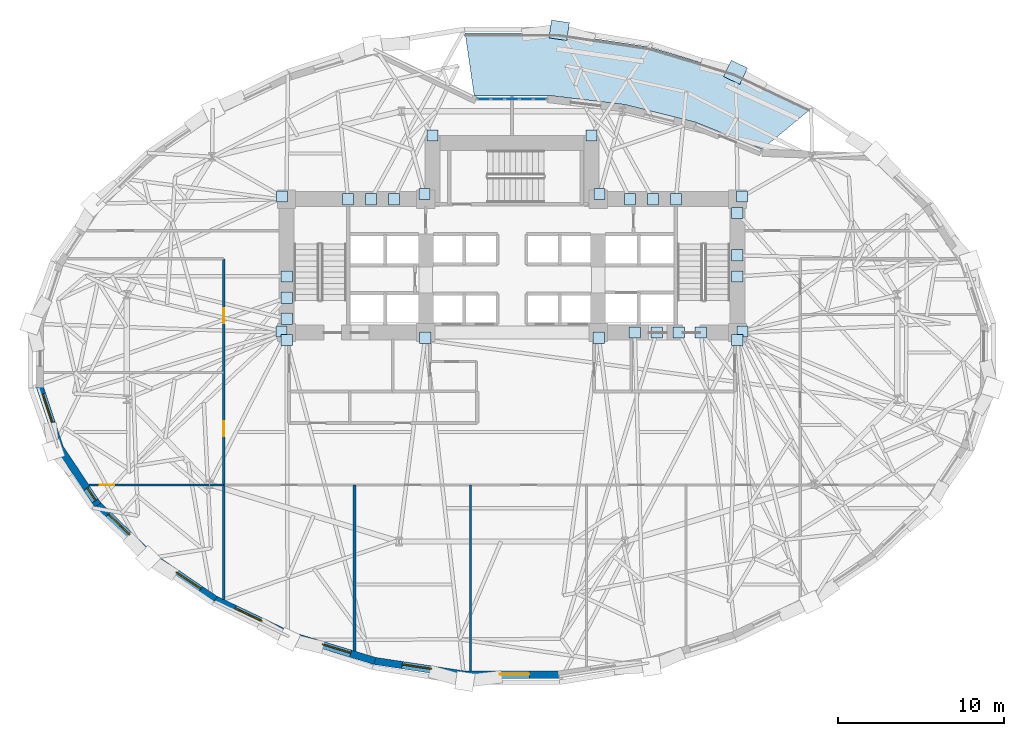
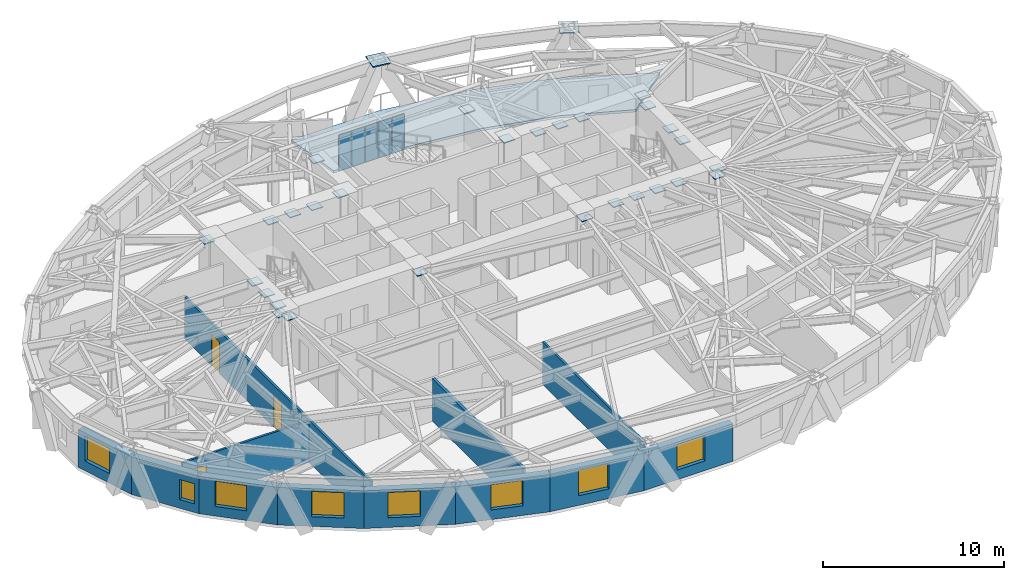
# One storey, part 7 of 15: 35 plates, 12 walls, 8 windows, 3 doors, 1 slab, 11 openings, 1 element without a shape of its own.
"""IFC4 building model written with IfcOpenShell, lengths in metres."""

from ifc_helpers import new_model, si_unit, direction, frame, frame_2d, origin, origin_2d, place, context, subcontext, project, spatial, polyline, rectangle, outline, extrude, material, layer, layer_set, type_object, element, fill, aggregate, save


model = new_model("IFC4")

# Units and contexts
model_context = context("Model", 3, precision=1e-05, world=origin(), true_north=direction((0.0, 1.0)))
body_context = subcontext(model_context, "Body", "Model", "MODEL_VIEW")
ifc_project = project(units=[si_unit("LENGTHUNIT", "METRE"), si_unit("AREAUNIT", "SQUARE_METRE"), si_unit("VOLUMEUNIT", "CUBIC_METRE"), si_unit("PLANEANGLEUNIT", "RADIAN"), si_unit("MASSUNIT", "GRAM", prefix="KILO")], contexts=[model_context])

# Site, building, storey
site_placement = place(None, origin())
site = spatial("IfcSite", under=ifc_project, at=site_placement, CompositionType="ELEMENT")
building_placement = place(site_placement, origin())
building = spatial("IfcBuilding", under=site, at=building_placement, Name="Keldmark Tower", CompositionType="ELEMENT")
storey_placement = place(building_placement, frame((0.0, 0.0, 55.800048828125)))
storey = spatial("IfcBuildingStorey", under=building, at=storey_placement, Name="L14", CompositionType="ELEMENT", Elevation=55.800048828125)

# Plates
ifc_material_1 = material(Name="Steel ASTM A572 Grade 50", Category="steel")
ifc_layer_1 = layer(ifc_material_1, 0.06005859375)
ifc_layer_set_1 = layer_set([ifc_layer_1], Name="Steel ASTM A572 Grade 50")
plate_type_1 = type_object("IfcPlateType", Name="Belt Truss Kink Node Assembly KN01 60 mm", PredefinedType="USERDEFINED", material=ifc_layer_set_1)
for number, where, z_axis, x_axis, name in (
    (1, (13.91162109375, 1.473388671875, 3.09814453125), (0.0, 0.0, 1.0), (1.0, 0.0, 0.0), "L14 Core Wall Cast-In Embed Plate 349"),
    (2, (13.878173828125, 9.608154296875, 3.09814453125), (0.0, 0.0, 1.0), (1.0, 0.0, 0.0), "L14 Core Wall Cast-In Embed Plate 350"),
    (3, (5.28515625, 9.758544921875, 3.09814453125), (0.0, 0.0, 1.0), (1.0, 0.0, 0.0), "L14 Core Wall Cast-In Embed Plate 351"),
    (4, (-5.28515625, 9.758544921875, 3.09814453125), (0.0, 0.0, 1.0), (1.0, 0.0, 0.0), "L14 Core Wall Cast-In Embed Plate 352"),
    (5, (-13.878173828125, 9.608154296875, 3.09814453125), (0.0, 0.0, 1.0), (1.0, 0.0, 0.0), "L14 Core Wall Cast-In Embed Plate 353"),
    (6, (-13.91162109375, 1.473388671875, 3.09814453125), (0.0, 0.0, 1.0), (1.0, 0.0, 0.0), "L14 Core Wall Cast-In Embed Plate 354"),
    (7, (-5.24072265625, 1.08251953125, 3.09814453125), (0.0, 0.0, 1.0), (1.0, 0.0, 0.0), "L14 Core Wall Cast-In Embed Plate 355"),
    (8, (5.24072265625, 1.08251953125, 3.09814453125), (0.0, 0.0, 1.0), (1.0, 0.0, 0.0), "L14 Core Wall Cast-In Embed Plate 356"),
    (9, (9.892822265625, 9.449951171875, 3.10400390625), (0.0, 0.0, 1.0), (1.0, 0.0, 0.0), "L14 Core Wall Cast-In Embed Plate 357"),
    (10, (7.121337890625, 9.449951171875, 3.10400390625), (0.0, 0.0, 1.0), (1.0, 0.0, 0.0), "L14 Core Wall Cast-In Embed Plate 358"),
    (11, (-7.121337890625, 9.449951171875, 3.10400390625), (0.0, 0.0, 1.0), (1.0, 0.0, 0.0), "L14 Core Wall Cast-In Embed Plate 359"),
    (12, (-9.892822265625, 9.449951171875, 3.10400390625), (0.0, 0.0, 1.0), (1.0, 0.0, 0.0), "L14 Core Wall Cast-In Embed Plate 360"),
    (13, (13.60009765625, 0.949951171875, 3.10400390625), (0.0, 0.0, 1.0), (1.0, 0.0, 0.0), "L14 Core Wall Cast-In Embed Plate 361"),
    (14, (13.60009765625, 8.621337890625, 3.10400390625), (0.0, 0.0, 1.0), (1.0, 0.0, 0.0), "L14 Core Wall Cast-In Embed Plate 362"),
    (15, (13.60009765625, 6.064208984375, 3.10400390625), (0.0, 0.0, 1.0), (1.0, 0.0, 0.0), "L14 Core Wall Cast-In Embed Plate 363"),
    (16, (13.60009765625, 4.78564453125, 3.10400390625), (0.0, 0.0, 1.0), (1.0, 0.0, 0.0), "L14 Core Wall Cast-In Embed Plate 364"),
    (17, (4.800048828125, 13.300048828125, 3.10400390625), (0.0, 0.0, 1.0), (1.0, 0.0, 0.0), "L14 Core Wall Cast-In Embed Plate 365"),
    (18, (8.507080078125, 9.449951171875, 3.10400390625), (0.0, 0.0, 1.0), (1.0, 0.0, 0.0), "L14 Core Wall Cast-In Embed Plate 366"),
    (19, (-8.507080078125, 9.449951171875, 3.10400390625), (0.0, 0.0, 1.0), (1.0, 0.0, 0.0), "L14 Core Wall Cast-In Embed Plate 367"),
    (20, (-4.800048828125, 13.300048828125, 3.10400390625), (0.0, 0.0, 1.0), (1.0, 0.0, 0.0), "L14 Core Wall Cast-In Embed Plate 368"),
    (21, (-13.60009765625, 4.78564453125, 3.10400390625), (0.0, 0.0, 1.0), (1.0, 0.0, 0.0), "L14 Core Wall Cast-In Embed Plate 369"),
    (22, (-13.60009765625, 2.228515625, 3.10400390625), (0.0, 0.0, 1.0), (1.0, 0.0, 0.0), "L14 Core Wall Cast-In Embed Plate 370"),
    (23, (-13.60009765625, 3.507080078125, 3.10400390625), (0.0, 0.0, 1.0), (1.0, 0.0, 0.0), "L14 Core Wall Cast-In Embed Plate 371"),
    (24, (8.735595703125, 1.39990234375, 3.10400390625), (0.0, 0.0, 1.0), (1.0, 0.0, 0.0), "L14 Core Wall Cast-In Embed Plate 372"),
    (25, (7.406982421875, 1.39990234375, 3.10400390625), (0.0, 0.0, 1.0), (1.0, 0.0, 0.0), "L14 Core Wall Cast-In Embed Plate 373"),
    (26, (11.392822265625, 1.39990234375, 3.10400390625), (0.0, 0.0, 1.0), (1.0, 0.0, 0.0), "L14 Core Wall Cast-In Embed Plate 374"),
    (27, (10.064208984375, 1.39990234375, 3.10400390625), (0.0, 0.0, 1.0), (1.0, 0.0, 0.0), "L14 Core Wall Cast-In Embed Plate 375"),
    (28, (-13.60009765625, 0.949951171875, 3.10400390625), (0.0, 0.0, 1.0), (1.0, 0.0, 0.0), "L14 Core Wall Cast-In Embed Plate 376"),
):
    element("IfcPlate", number, at=place(storey_placement, frame(where, z_axis=z_axis, x_axis=x_axis)), inside=storey, type_object=plate_type_1, Name=name, ObjectType="CAP PLATE", PredefinedType="USERDEFINED", context=body_context, shape_type="SweptSolid", body=[
        extrude(rectangle(XDim=0.679931640625, YDim=0.679931640625, at=origin_2d()), origin(), (0.0, 0.0, 1.0), 0.054931640625),
    ])
ifc_material_2 = material(Name="Steel ASTM A572 Grade 50", Category="steel")
ifc_layer_2 = layer(ifc_material_2, 0.074951171875)
ifc_layer_set_2 = layer_set([ifc_layer_2], Name="Steel ASTM A572 Grade 50")
plate_type_2 = type_object("IfcPlateType", Name="Diagrid Node Assembly DN01 75 mm", PredefinedType="USERDEFINED", material=ifc_layer_set_2)
for number, where, z_axis, x_axis, name in (
    (29, (13.48681640625, 17.1083984375, 3.24267578125), (0.0, 0.0, 1.0), (-0.902660408963, 0.430353559402, 0.0), "L14 Diagrid Node Assembly 05"),
    (30, (2.844482421875, 19.642822265625, 3.24267578125), (0.0, 0.0, 1.0), (-0.988704123128, 0.149880475413, 0.0), "L14 Diagrid Node Assembly 07"),
):
    element("IfcPlate", number, at=place(storey_placement, frame(where, z_axis=z_axis, x_axis=x_axis)), inside=storey, type_object=plate_type_2, Name=name, ObjectType="GUSSET", PredefinedType="USERDEFINED", context=body_context, shape_type="SweptSolid", body=[
        extrude(rectangle(XDim=1.090087890625, YDim=1.090087890625, at=origin_2d()), origin(), (0.0, 0.0, 1.0), 0.074951171875),
    ])

# Slab
ifc_material_3 = material(Name="Concrete C35/45", Category="concrete")
ifc_layer_3 = layer(ifc_material_3, 0.1650390625)
ifc_layer_set_3 = layer_set([ifc_layer_3], Name="Concrete C35/45")
slab_type = type_object("IfcSlabType", Name="Planted Sky-Garden Terrace Slab 165 mm", PredefinedType="ROOF", material=ifc_layer_set_3)
slab_placement = place(storey_placement, frame((0.0, 0.0, -0.1650390625)))
element("IfcSlab", 31, at=slab_placement, inside=storey, type_object=slab_type, Name="Planted Sky-Garden Terrace Slab", PredefinedType="ROOF", context=body_context, shape_type="SweptSolid", body=[
    extrude(outline(polyline([(18.02587890625, 14.889892578125), (13.45751953125, 17.067626953125), (8.336669921875, 18.630126953125), (2.827880859375, 19.46484375), (-2.827880859375, 19.46484375), (-2.281494140625, 15.704345703125), (2.281494140625, 15.704345703125), (6.784423828125, 15.16162109375), (11.104736328125, 14.08349609375), (15.09619140625, 12.4697265625), (18.02587890625, 14.889892578125)])), origin(), (0.0, 0.0, 1.0), 0.1650390625),
])

# Curtain wall, plates
ifc_material_4 = material(Name="Unitized Thermally Broken Aluminum and Triple Low-E Glazing", Category="aluminium")
ifc_layer_4 = layer(ifc_material_4, 0.219970703125)
ifc_layer_set_4 = layer_set([ifc_layer_4], Name="Unitized Thermally Broken Aluminum and Triple Low-E Glazing")
curtain_wall_type = type_object("IfcCurtainWallType", Name="Spiralling Sky-Garden Feature Curtain Wall System", PredefinedType="NOTDEFINED", material=ifc_layer_set_4)
curtain_wall_placement = place(storey_placement, origin())
curtain_wall = element("IfcCurtainWall", 32, at=curtain_wall_placement, inside=storey, type_object=curtain_wall_type, Name="L14 Spiralling Sky-Garden Feature Curtain Wall System CW-L14-08", PredefinedType="NOTDEFINED")
ifc_material_5 = material(Name="Triple Silver Low-E Insulated Glass Unit", Category="glass")
ifc_layer_5 = layer(ifc_material_5, 0.035888671875)
ifc_layer_set_5 = layer_set([ifc_layer_5], Name="Triple Silver Low-E Insulated Glass Unit")
plate_type_3 = type_object("IfcPlateType", Name="Triple Low-E Vision Glazing Panel 36 mm", PredefinedType="CURTAIN_PANEL", material=ifc_layer_set_5)
plate_1_placement = place(storey_placement, frame((-1.6982421875, 15.484375, 0.06005859375), z_axis=(0.0, 0.0, 1.0), x_axis=(1.0, 0.0, 0.0)))
plate_1 = element("IfcPlate", 33, at=plate_1_placement, type_object=plate_type_3, Name="CW panel 1.1", PredefinedType="CURTAIN_PANEL", context=body_context, shape_type="SweptSolid", body=[
    extrude(rectangle(XDim=0.7666015625, YDim=0.035888671875, at=origin_2d()), origin(), (0.0, 0.0, 1.0), 2.408935546875),
])
plate_2_placement = place(storey_placement, frame((-0.856689453125, 15.484375, 0.06005859375), z_axis=(0.0, 0.0, 1.0), x_axis=(1.0, 0.0, 0.0)))
plate_2 = element("IfcPlate", 34, at=plate_2_placement, type_object=plate_type_3, Name="CW panel 2.1", PredefinedType="CURTAIN_PANEL", context=body_context, shape_type="SweptSolid", body=[
    extrude(rectangle(XDim=0.796630859375, YDim=0.035888671875, at=origin_2d()), origin(), (0.0, 0.0, 1.0), 2.408935546875),
])
plate_3_placement = place(storey_placement, frame((0.0, 15.484375, 0.06005859375), z_axis=(0.0, 0.0, 1.0), x_axis=(1.0, 0.0, 0.0)))
plate_3 = element("IfcPlate", 35, at=plate_3_placement, type_object=plate_type_3, Name="CW panel 3.1", PredefinedType="CURTAIN_PANEL", context=body_context, shape_type="SweptSolid", body=[
    extrude(rectangle(XDim=0.796630859375, YDim=0.035888671875, at=origin_2d()), origin(), (0.0, 0.0, 1.0), 2.408935546875),
])
plate_4_placement = place(storey_placement, frame((0.856689453125, 15.484375, 0.06005859375), z_axis=(0.0, 0.0, 1.0), x_axis=(1.0, 0.0, 0.0)))
plate_4 = element("IfcPlate", 36, at=plate_4_placement, type_object=plate_type_3, Name="CW panel 4.1", PredefinedType="CURTAIN_PANEL", context=body_context, shape_type="SweptSolid", body=[
    extrude(rectangle(XDim=0.796630859375, YDim=0.035888671875, at=origin_2d()), origin(), (0.0, 0.0, 1.0), 2.408935546875),
])
plate_5_placement = place(storey_placement, frame((1.6982421875, 15.484375, 0.06005859375), z_axis=(0.0, 0.0, 1.0), x_axis=(1.0, 0.0, 0.0)))
plate_5 = element("IfcPlate", 37, at=plate_5_placement, type_object=plate_type_3, Name="CW panel 5.1", PredefinedType="CURTAIN_PANEL", context=body_context, shape_type="SweptSolid", body=[
    extrude(rectangle(XDim=0.7666015625, YDim=0.035888671875, at=origin_2d()), origin(), (0.0, 0.0, 1.0), 2.408935546875),
])
aggregate(curtain_wall, [plate_1, plate_2, plate_3, plate_4, plate_5])

# Wall, openings, doors
ifc_material_6 = material(Name="Acoustic Double-Layer Gypsum Corridor Partition", Category="gypsum")
ifc_layer_6 = layer(ifc_material_6, 0.139892578125)
ifc_layer_set_6 = layer_set([ifc_layer_6], Name="Acoustic Double-Layer Gypsum Corridor Partition")
wall_type_1 = type_object("IfcWallType", Name="Acoustic Corridor Partition 140 mm", PredefinedType="PARTITIONING", material=ifc_layer_set_6)
wall_1_placement = place(storey_placement, frame((-17.39990234375, -14.69189453125, 0.0), z_axis=(0.0, 0.0, 1.0), x_axis=(0.0, 1.0, 0.0)))
wall_1 = element("IfcWall", 38, at=wall_1_placement, inside=storey, type_object=wall_type_1, Name="L14 Acoustic Corridor Partition 140 mm COR-W", PredefinedType="PARTITIONING", context=body_context, shape_type="SweptSolid", body=[
    extrude(rectangle(XDim=20.5419921875, YDim=0.139892578125, at=frame_2d((10.27099609375, 0.0))), origin(), (0.0, 0.0, 1.0), 2.841064453125),
])
opening_1_placement = place(wall_1_placement, frame((9.84130859375, 0.0, 0.0)))
opening_1 = element("IfcOpeningElement", 39, at=opening_1_placement, cuts=wall_1, Name="Opening D-IN090", PredefinedType="OPENING", context=body_context, shape_type="SweptSolid", body=[
    extrude(rectangle(XDim=0.89990234375, YDim=2.10009765625, at=frame_2d((0.449951171875, 1.050048828125))), frame((0.0, 0.079833984375, 0.0), z_axis=(0.0, -1.0, 0.0), x_axis=(1.0, 0.0, 0.0)), (0.0, 0.0, 1.0), 0.159912109375),
])
opening_2_placement = place(wall_1_placement, frame((16.66650390625, 0.0, 0.0)))
opening_2 = element("IfcOpeningElement", 40, at=opening_2_placement, cuts=wall_1, Name="Opening D-IN090", PredefinedType="OPENING", context=body_context, shape_type="SweptSolid", body=[
    extrude(rectangle(XDim=0.89990234375, YDim=2.10009765625, at=frame_2d((0.449951171875, 1.050048828125))), frame((0.0, 0.079833984375, 0.0), z_axis=(0.0, -1.0, 0.0), x_axis=(1.0, 0.0, 0.0)), (0.0, 0.0, 1.0), 0.159912109375),
])
ifc_material_7 = material(Name="Stained American White Oak Veneer", Category="wood")
door_type = type_object("IfcDoorType", Name="Interior Door 900x2100", OperationType="NOTDEFINED", PredefinedType="DOOR", material=ifc_material_7)
door_1_placement = place(opening_1_placement, origin())
door_1 = element("IfcDoor", 41, at=door_1_placement, inside=storey, type_object=door_type, Name="L14 Interior Door 900x2100 D-WR-1-L14", OperationType="SINGLE_SWING_RIGHT", OverallHeight=2.10009765625, OverallWidth=0.89990234375, PredefinedType="DOOR", context=body_context, shape_type="SweptSolid", body=[
    extrude(rectangle(XDim=0.89990234375, YDim=2.10009765625, at=frame_2d((0.449951171875, 1.050048828125))), frame((0.0, 0.02490234375, 0.0), z_axis=(0.0, -1.0, 0.0), x_axis=(1.0, 0.0, 0.0)), (0.0, 0.0, 1.0), 0.050048828125),
])
fill(opening_1, door_1)
door_2_placement = place(opening_2_placement, origin())
door_2 = element("IfcDoor", 42, at=door_2_placement, inside=storey, type_object=door_type, Name="L14 Interior Door 900x2100 D-WR-2-L14", OperationType="SINGLE_SWING_RIGHT", OverallHeight=2.10009765625, OverallWidth=0.89990234375, PredefinedType="DOOR", context=body_context, shape_type="SweptSolid", body=[
    extrude(rectangle(XDim=0.89990234375, YDim=2.10009765625, at=frame_2d((0.449951171875, 1.050048828125))), frame((0.0, 0.02490234375, 0.0), z_axis=(0.0, -1.0, 0.0), x_axis=(1.0, 0.0, 0.0)), (0.0, 0.0, 1.0), 0.050048828125),
])
fill(opening_2, door_2)

# Walls
ifc_material_8 = material(Name="STC-58 Insulated Tenant Demising Gypsum Partition", Category="gypsum")
ifc_layer_7 = layer(ifc_material_8, 0.175048828125)
ifc_layer_set_7 = layer_set([ifc_layer_7], Name="STC-58 Insulated Tenant Demising Gypsum Partition")
wall_type_2 = type_object("IfcWallType", Name="Demising Suite Partition 175 mm", PredefinedType="PARTITIONING", material=ifc_layer_set_7)
wall_2_placement = place(storey_placement, frame((-9.5, -17.806884765625, 0.0), z_axis=(0.0, 0.0, 1.0), x_axis=(0.0, 1.0, 0.0)))
element("IfcWall", 43, at=wall_2_placement, inside=storey, type_object=wall_type_2, Name="L14 Demising Suite Partition 175 mm S-DIV-1", PredefinedType="PARTITIONING", context=body_context, shape_type="SweptSolid", body=[
    extrude(rectangle(XDim=10.0068359375, YDim=0.175048828125, at=frame_2d((5.00341796875, 0.0))), origin(), (0.0, 0.0, 1.0), 2.85302734375),
])
ifc_material_9 = material(Name="Acoustic Gypsum Board Interior Partition", Category="gypsum")
ifc_layer_8 = layer(ifc_material_9, 0.1298828125)
ifc_layer_set_8 = layer_set([ifc_layer_8], Name="Acoustic Gypsum Board Interior Partition")
wall_type_3 = type_object("IfcWallType", Name="Interior Partition 130 mm", PredefinedType="PARTITIONING", material=ifc_layer_set_8)
wall_3_placement = place(storey_placement, frame((-2.5, -19.016845703125, 0.0), z_axis=(0.0, 0.0, 1.0), x_axis=(0.0, 1.0, 0.0)))
element("IfcWall", 44, at=wall_3_placement, inside=storey, type_object=wall_type_3, Name="L14 Interior Partition 130 mm S-DIV-2", PredefinedType="PARTITIONING", context=body_context, shape_type="SweptSolid", body=[
    extrude(rectangle(XDim=11.216796875, YDim=0.1298828125, at=frame_2d((5.6083984375, 0.0))), origin(), (0.0, 0.0, 1.0), 2.85302734375),
])

# Wall, opening, door
wall_4_placement = place(storey_placement, frame((-25.517578125, -7.800048828125, 0.0), z_axis=(0.0, 0.0, 1.0), x_axis=(1.0, 0.0, 0.0)))
wall_4 = element("IfcWall", 45, at=wall_4_placement, inside=storey, type_object=wall_type_3, Name="L14 Interior Partition 130 mm W-CAP-S", PredefinedType="PARTITIONING", context=body_context, shape_type="SweptSolid", body=[
    extrude(rectangle(XDim=8.11767578125, YDim=0.1298828125, at=frame_2d((4.058837890625, 0.0))), origin(), (0.0, 0.0, 1.0), 2.779052734375),
])
opening_3_placement = place(wall_4_placement, frame((0.6298828125, 0.0, 0.0)))
opening_3 = element("IfcOpeningElement", 46, at=opening_3_placement, cuts=wall_4, Name="Opening D-IN090", PredefinedType="OPENING", context=body_context, shape_type="SweptSolid", body=[
    extrude(rectangle(XDim=0.89990234375, YDim=2.10009765625, at=frame_2d((0.449951171875, 1.050048828125))), frame((0.0, 0.074951171875, 0.0), z_axis=(0.0, -1.0, 0.0), x_axis=(1.0, 0.0, 0.0)), (0.0, 0.0, 1.0), 0.14990234375),
])
door_3_placement = place(opening_3_placement, origin())
door_3 = element("IfcDoor", 47, at=door_3_placement, inside=storey, type_object=door_type, Name="L14 Interior Door 900x2100 D-WRSW-L14", OperationType="SINGLE_SWING_LEFT", OverallHeight=2.10009765625, OverallWidth=0.89990234375, PredefinedType="DOOR", context=body_context, shape_type="SweptSolid", body=[
    extrude(rectangle(XDim=0.89990234375, YDim=2.10009765625, at=frame_2d((0.449951171875, 1.050048828125))), frame((0.0, 0.02490234375, 0.0), z_axis=(0.0, -1.0, 0.0), x_axis=(1.0, 0.0, 0.0)), (0.0, 0.0, 1.0), 0.050048828125),
])
fill(opening_3, door_3)

# Wall, opening, window
ifc_material_10 = material(Name="Ironspot Manganese Brick and Kasota Buff Limestone Spandrel Assembly", Category="masonry")
ifc_layer_9 = layer(ifc_material_10, 0.43994140625)
ifc_layer_set_9 = layer_set([ifc_layer_9], Name="Ironspot Manganese Brick and Kasota Buff Limestone Spandrel Assembly")
wall_type_4 = type_object("IfcWallType", Name="Tower Brick Pier and Spandrel Wall 440 mm", PredefinedType="STANDARD", material=ifc_layer_set_9)
wall_5_placement = place(storey_placement, frame((-27.273193359375, -5.58251953125, 0.0), z_axis=(0.0, 0.0, 1.0), x_axis=(-0.31317140165, 0.949696621658, 0.0)))
wall_5 = element("IfcWall", 48, at=wall_5_placement, inside=storey, type_object=wall_type_4, Name="L14 Exterior Brick and Spandrel Wall 17", PredefinedType="STANDARD", context=body_context, shape_type="SweptSolid", body=[
    extrude(rectangle(XDim=3.93212890625, YDim=0.43994140625, at=frame_2d((1.966064453125, 0.0))), origin(), (0.0, 0.0, 1.0), 2.532958984375),
])
opening_4_placement = place(wall_5_placement, frame((1.63525390625, 0.0, 0.64990234375)))
opening_4 = element("IfcOpeningElement", 49, at=opening_4_placement, cuts=wall_5, Name="Opening W-02", PredefinedType="OPENING", context=body_context, shape_type="SweptSolid", body=[
    extrude(rectangle(XDim=1.800048828125, YDim=1.699951171875, at=frame_2d((0.89990234375, 0.85009765625))), frame((0.0, 0.22998046875, 0.0), z_axis=(0.0, -1.0, 0.0), x_axis=(1.0, 0.0, 0.0)), (0.0, 0.0, 1.0), 0.4599609375),
])
ifc_material_11 = material(Name="Thermally Broken Anodized Aluminum and Triple Low-E Argon Glazing", Category="aluminium")
window_type_1 = type_object("IfcWindowType", Name="Office Deep-Set Triple Window 1800x1700", PartitioningType="TRIPLE_PANEL_VERTICAL", PredefinedType="WINDOW", material=ifc_material_11)
window_1_placement = place(opening_4_placement, origin())
window_1 = element("IfcWindow", 50, at=window_1_placement, inside=storey, type_object=window_type_1, Name="L14 Deep-Set Window 17", OverallHeight=1.699951171875, OverallWidth=1.800048828125, PartitioningType="SINGLE_PANEL", PredefinedType="WINDOW", context=body_context, shape_type="SweptSolid", body=[
    extrude(rectangle(XDim=1.800048828125, YDim=1.699951171875, at=frame_2d((0.89990234375, 0.85009765625))), frame((0.0, -0.010009765625, 0.0), z_axis=(0.0, -1.0, 0.0), x_axis=(1.0, 0.0, 0.0)), (0.0, 0.0, 1.0), 0.06005859375),
])
fill(opening_4, window_1)

wall_6_placement = place(storey_placement, frame((-24.993896484375, -9.001220703125, 0.0), z_axis=(0.0, 0.0, 1.0), x_axis=(-0.553144350008, 0.833085426625, 0.0)))
wall_6 = element("IfcWall", 51, at=wall_6_placement, inside=storey, type_object=wall_type_4, Name="L14 Exterior Brick and Spandrel Wall 18", PredefinedType="STANDARD", context=body_context, shape_type="SweptSolid", body=[
    extrude(rectangle(XDim=4.1669921875, YDim=0.43994140625, at=frame_2d((2.08349609375, 0.0))), origin(), (0.0, 0.0, 1.0), 2.529052734375),
])
opening_5_placement = place(wall_6_placement, frame((0.298828125, 0.0, 0.580078125)))
opening_5 = element("IfcOpeningElement", 52, at=opening_5_placement, cuts=wall_6, Name="Opening W-09", PredefinedType="OPENING", context=body_context, shape_type="SweptSolid", body=[
    extrude(rectangle(XDim=0.89990234375, YDim=1.35009765625, at=frame_2d((0.449951171875, 0.675048828125))), frame((0.0, 0.22998046875, 0.0), z_axis=(0.0, -1.0, 0.0), x_axis=(1.0, 0.0, 0.0)), (0.0, 0.0, 1.0), 0.4599609375),
])
ifc_material_12 = material(Name="Thermally Broken Anodized Aluminum and Triple Low-E Argon Glazing", Category="aluminium")
window_type_2 = type_object("IfcWindowType", Name="Corner Pier Deep-Set Window 900x1350", PartitioningType="SINGLE_PANEL", PredefinedType="WINDOW", material=ifc_material_12)
window_2_placement = place(opening_5_placement, origin())
window_2 = element("IfcWindow", 53, at=window_2_placement, inside=storey, type_object=window_type_2, Name="L14 Deep-Set Window 18", OverallHeight=1.35009765625, OverallWidth=0.89990234375, PartitioningType="SINGLE_PANEL", PredefinedType="WINDOW", context=body_context, shape_type="SweptSolid", body=[
    extrude(rectangle(XDim=0.89990234375, YDim=1.35009765625, at=frame_2d((0.449951171875, 0.675048828125))), frame((0.0, -0.010009765625, 0.0), z_axis=(0.0, -1.0, 0.0), x_axis=(1.0, 0.0, 0.0)), (0.0, 0.0, 1.0), 0.06005859375),
])
fill(opening_5, window_2)

wall_7_placement = place(storey_placement, frame((-21.81201171875, -12.061279296875, 0.0), z_axis=(0.0, 0.0, 1.0), x_axis=(-0.719928259859, 0.694048485811, 0.0)))
wall_7 = element("IfcWall", 54, at=wall_7_placement, inside=storey, type_object=wall_type_4, Name="L14 Exterior Brick and Spandrel Wall 19", PredefinedType="STANDARD", context=body_context, shape_type="SweptSolid", body=[
    extrude(rectangle(XDim=4.462158203125, YDim=0.43994140625, at=frame_2d((2.23095703125, 0.0))), origin(), (0.0, 0.0, 1.0), 2.529052734375),
])
opening_6_placement = place(wall_7_placement, frame((1.773681640625, 0.0, 0.64990234375)))
opening_6 = element("IfcOpeningElement", 55, at=opening_6_placement, cuts=wall_7, Name="Opening W-02", PredefinedType="OPENING", context=body_context, shape_type="SweptSolid", body=[
    extrude(rectangle(XDim=1.800048828125, YDim=1.699951171875, at=frame_2d((0.89990234375, 0.85009765625))), frame((0.0, 0.22998046875, 0.0), z_axis=(0.0, -1.0, 0.0), x_axis=(1.0, 0.0, 0.0)), (0.0, 0.0, 1.0), 0.4599609375),
])
window_3_placement = place(opening_6_placement, origin())
window_3 = element("IfcWindow", 56, at=window_3_placement, inside=storey, type_object=window_type_1, Name="L14 Deep-Set Window 19", OverallHeight=1.699951171875, OverallWidth=1.800048828125, PartitioningType="SINGLE_PANEL", PredefinedType="WINDOW", context=body_context, shape_type="SweptSolid", body=[
    extrude(rectangle(XDim=1.800048828125, YDim=1.699951171875, at=frame_2d((0.89990234375, 0.85009765625))), frame((0.0, -0.010009765625, 0.0), z_axis=(0.0, -1.0, 0.0), x_axis=(1.0, 0.0, 0.0)), (0.0, 0.0, 1.0), 0.06005859375),
])
fill(opening_6, window_3)

wall_8_placement = place(storey_placement, frame((-17.902587890625, -14.707763671875, 0.0), z_axis=(0.0, 0.0, 1.0), x_axis=(-0.827723442454, 0.561136260468, 0.0)))
wall_8 = element("IfcWall", 57, at=wall_8_placement, inside=storey, type_object=wall_type_4, Name="L14 Exterior Brick and Spandrel Wall 20", PredefinedType="STANDARD", context=body_context, shape_type="SweptSolid", body=[
    extrude(rectangle(XDim=4.758544921875, YDim=0.43994140625, at=frame_2d((2.37939453125, 0.0))), origin(), (0.0, 0.0, 1.0), 2.529052734375),
])
opening_7_placement = place(wall_8_placement, frame((1.085693359375, 0.0, 0.64990234375)))
opening_7 = element("IfcOpeningElement", 58, at=opening_7_placement, cuts=wall_8, Name="Opening W-02", PredefinedType="OPENING", context=body_context, shape_type="SweptSolid", body=[
    extrude(rectangle(XDim=1.800048828125, YDim=1.699951171875, at=frame_2d((0.89990234375, 0.85009765625))), frame((0.0, 0.22998046875, 0.0), z_axis=(0.0, -1.0, 0.0), x_axis=(1.0, 0.0, 0.0)), (0.0, 0.0, 1.0), 0.4599609375),
])
window_4_placement = place(opening_7_placement, origin())
window_4 = element("IfcWindow", 59, at=window_4_placement, inside=storey, type_object=window_type_1, Name="L14 Deep-Set Window 20", OverallHeight=1.699951171875, OverallWidth=1.800048828125, PartitioningType="SINGLE_PANEL", PredefinedType="WINDOW", context=body_context, shape_type="SweptSolid", body=[
    extrude(rectangle(XDim=1.800048828125, YDim=1.699951171875, at=frame_2d((0.89990234375, 0.85009765625))), frame((0.0, -0.010009765625, 0.0), z_axis=(0.0, -1.0, 0.0), x_axis=(1.0, 0.0, 0.0)), (0.0, 0.0, 1.0), 0.06005859375),
])
fill(opening_7, window_4)

wall_9_placement = place(storey_placement, frame((-13.36279296875, -16.868896484375, 0.0), z_axis=(0.0, 0.0, 1.0), x_axis=(-0.902682101727, 0.430308056189, 0.0)))
wall_9 = element("IfcWall", 60, at=wall_9_placement, inside=storey, type_object=wall_type_4, Name="L14 Exterior Brick and Spandrel Wall 21", PredefinedType="STANDARD", context=body_context, shape_type="SweptSolid", body=[
    extrude(rectangle(XDim=5.060791015625, YDim=0.43994140625, at=frame_2d((2.5302734375, 0.0))), origin(), (0.0, 0.0, 1.0), 2.529052734375),
])
opening_8_placement = place(wall_9_placement, frame((1.926513671875, 0.0, 0.64990234375)))
opening_8 = element("IfcOpeningElement", 61, at=opening_8_placement, cuts=wall_9, Name="Opening W-02", PredefinedType="OPENING", context=body_context, shape_type="SweptSolid", body=[
    extrude(rectangle(XDim=1.800048828125, YDim=1.699951171875, at=frame_2d((0.89990234375, 0.85009765625))), frame((0.0, 0.22998046875, 0.0), z_axis=(0.0, -1.0, 0.0), x_axis=(1.0, 0.0, 0.0)), (0.0, 0.0, 1.0), 0.4599609375),
])
window_5_placement = place(opening_8_placement, origin())
window_5 = element("IfcWindow", 62, at=window_5_placement, inside=storey, type_object=window_type_1, Name="L14 Deep-Set Window 21", OverallHeight=1.699951171875, OverallWidth=1.800048828125, PartitioningType="SINGLE_PANEL", PredefinedType="WINDOW", context=body_context, shape_type="SweptSolid", body=[
    extrude(rectangle(XDim=1.800048828125, YDim=1.699951171875, at=frame_2d((0.89990234375, 0.85009765625))), frame((0.0, -0.010009765625, 0.0), z_axis=(0.0, -1.0, 0.0), x_axis=(1.0, 0.0, 0.0)), (0.0, 0.0, 1.0), 0.06005859375),
])
fill(opening_8, window_5)

wall_10_placement = place(storey_placement, frame((-8.2724609375, -18.419677734375, 0.0), z_axis=(0.0, 0.0, 1.0), x_axis=(-0.956466543593, 0.291841996615, 0.0)))
wall_10 = element("IfcWall", 63, at=wall_10_placement, inside=storey, type_object=wall_type_4, Name="L14 Exterior Brick and Spandrel Wall 22", PredefinedType="STANDARD", context=body_context, shape_type="SweptSolid", body=[
    extrude(rectangle(XDim=5.35400390625, YDim=0.43994140625, at=frame_2d((2.677001953125, 0.0))), origin(), (0.0, 0.0, 1.0), 2.529052734375),
])
opening_9_placement = place(wall_10_placement, frame((1.530517578125, 0.0, 0.64990234375)))
opening_9 = element("IfcOpeningElement", 64, at=opening_9_placement, cuts=wall_10, Name="Opening W-02", PredefinedType="OPENING", context=body_context, shape_type="SweptSolid", body=[
    extrude(rectangle(XDim=1.800048828125, YDim=1.699951171875, at=frame_2d((0.89990234375, 0.85009765625))), frame((0.0, 0.22998046875, 0.0), z_axis=(0.0, -1.0, 0.0), x_axis=(1.0, 0.0, 0.0)), (0.0, 0.0, 1.0), 0.4599609375),
])
window_6_placement = place(opening_9_placement, origin())
window_6 = element("IfcWindow", 65, at=window_6_placement, inside=storey, type_object=window_type_1, Name="L14 Deep-Set Window 22", OverallHeight=1.699951171875, OverallWidth=1.800048828125, PartitioningType="SINGLE_PANEL", PredefinedType="WINDOW", context=body_context, shape_type="SweptSolid", body=[
    extrude(rectangle(XDim=1.800048828125, YDim=1.699951171875, at=frame_2d((0.89990234375, 0.85009765625))), frame((0.0, -0.010009765625, 0.0), z_axis=(0.0, -1.0, 0.0), x_axis=(1.0, 0.0, 0.0)), (0.0, 0.0, 1.0), 0.06005859375),
])
fill(opening_9, window_6)

wall_11_placement = place(storey_placement, frame((-2.794921875, -19.247314453125, 0.0), z_axis=(0.0, 0.0, 1.0), x_axis=(-0.988714127489, 0.149814465604, 0.0)))
wall_11 = element("IfcWall", 66, at=wall_11_placement, inside=storey, type_object=wall_type_4, Name="L14 Exterior Brick and Spandrel Wall 23", PredefinedType="STANDARD", context=body_context, shape_type="SweptSolid", body=[
    extrude(rectangle(XDim=5.57177734375, YDim=0.43994140625, at=frame_2d((2.785888671875, 0.0))), origin(), (0.0, 0.0, 1.0), 2.529052734375),
])
opening_10_placement = place(wall_11_placement, frame((2.083984375, 0.0, 0.64990234375)))
opening_10 = element("IfcOpeningElement", 67, at=opening_10_placement, cuts=wall_11, Name="Opening W-02", PredefinedType="OPENING", context=body_context, shape_type="SweptSolid", body=[
    extrude(rectangle(XDim=1.800048828125, YDim=1.699951171875, at=frame_2d((0.89990234375, 0.85009765625))), frame((0.0, 0.22998046875, 0.0), z_axis=(0.0, -1.0, 0.0), x_axis=(1.0, 0.0, 0.0)), (0.0, 0.0, 1.0), 0.4599609375),
])
window_7_placement = place(opening_10_placement, origin())
window_7 = element("IfcWindow", 68, at=window_7_placement, inside=storey, type_object=window_type_1, Name="L14 Deep-Set Window 23", OverallHeight=1.699951171875, OverallWidth=1.800048828125, PartitioningType="SINGLE_PANEL", PredefinedType="WINDOW", context=body_context, shape_type="SweptSolid", body=[
    extrude(rectangle(XDim=1.800048828125, YDim=1.699951171875, at=frame_2d((0.89990234375, 0.85009765625))), frame((0.0, -0.010009765625, 0.0), z_axis=(0.0, -1.0, 0.0), x_axis=(1.0, 0.0, 0.0)), (0.0, 0.0, 1.0), 0.06005859375),
])
fill(opening_10, window_7)

wall_12_placement = place(storey_placement, frame((2.827880859375, -19.244873046875, 0.0), z_axis=(0.0, 0.0, 1.0), x_axis=(-1.0, 0.0, 0.0)))
wall_12 = element("IfcWall", 69, at=wall_12_placement, inside=storey, type_object=wall_type_4, Name="L14 Exterior Brick and Spandrel Wall 24", PredefinedType="STANDARD", context=body_context, shape_type="SweptSolid", body=[
    extrude(rectangle(XDim=5.65576171875, YDim=0.43994140625, at=frame_2d((2.827880859375, 0.0))), origin(), (0.0, 0.0, 1.0), 2.532958984375),
])
opening_11_placement = place(wall_12_placement, frame((1.77978515625, 0.0, 0.64990234375)))
opening_11 = element("IfcOpeningElement", 70, at=opening_11_placement, cuts=wall_12, Name="Opening W-02", PredefinedType="OPENING", context=body_context, shape_type="SweptSolid", body=[
    extrude(rectangle(XDim=1.800048828125, YDim=1.699951171875, at=frame_2d((0.89990234375, 0.85009765625))), frame((0.0, 0.22998046875, 0.0), z_axis=(0.0, -1.0, 0.0), x_axis=(1.0, 0.0, 0.0)), (0.0, 0.0, 1.0), 0.4599609375),
])
window_8_placement = place(opening_11_placement, origin())
window_8 = element("IfcWindow", 71, at=window_8_placement, inside=storey, type_object=window_type_1, Name="L14 Deep-Set Window 24", OverallHeight=1.699951171875, OverallWidth=1.800048828125, PartitioningType="SINGLE_PANEL", PredefinedType="WINDOW", context=body_context, shape_type="SweptSolid", body=[
    extrude(rectangle(XDim=1.800048828125, YDim=1.699951171875, at=frame_2d((0.89990234375, 0.85009765625))), frame((0.0, -0.010009765625, 0.0), z_axis=(0.0, -1.0, 0.0), x_axis=(1.0, 0.0, 0.0)), (0.0, 0.0, 1.0), 0.06005859375),
])
fill(opening_11, window_8)

save(model, "model.ifc")
